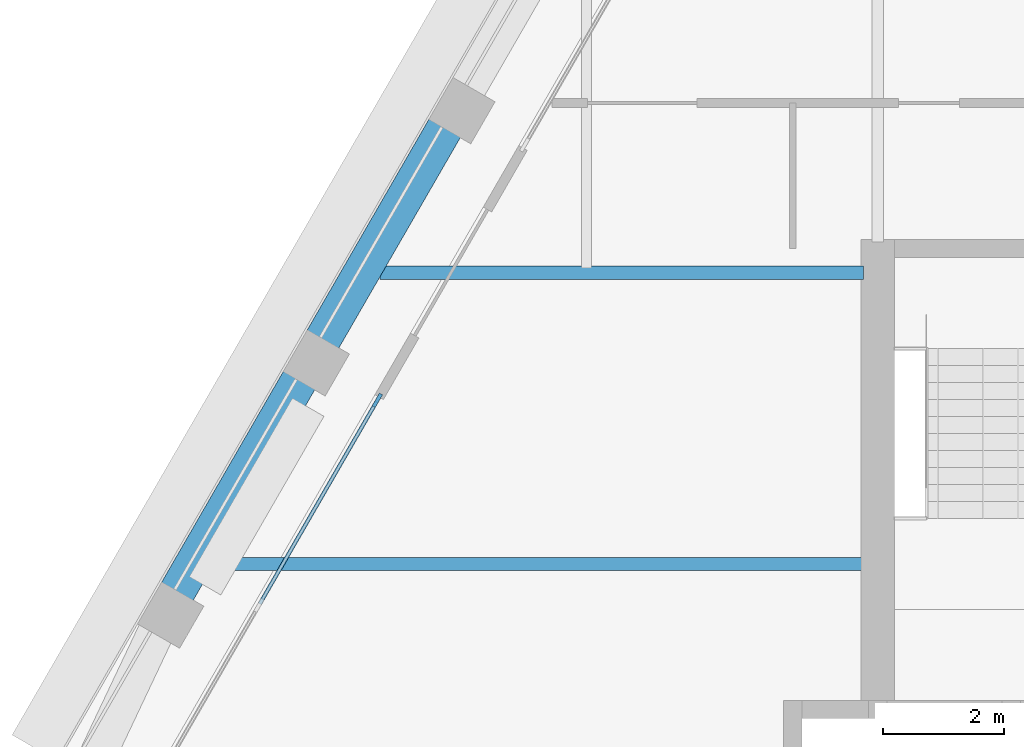
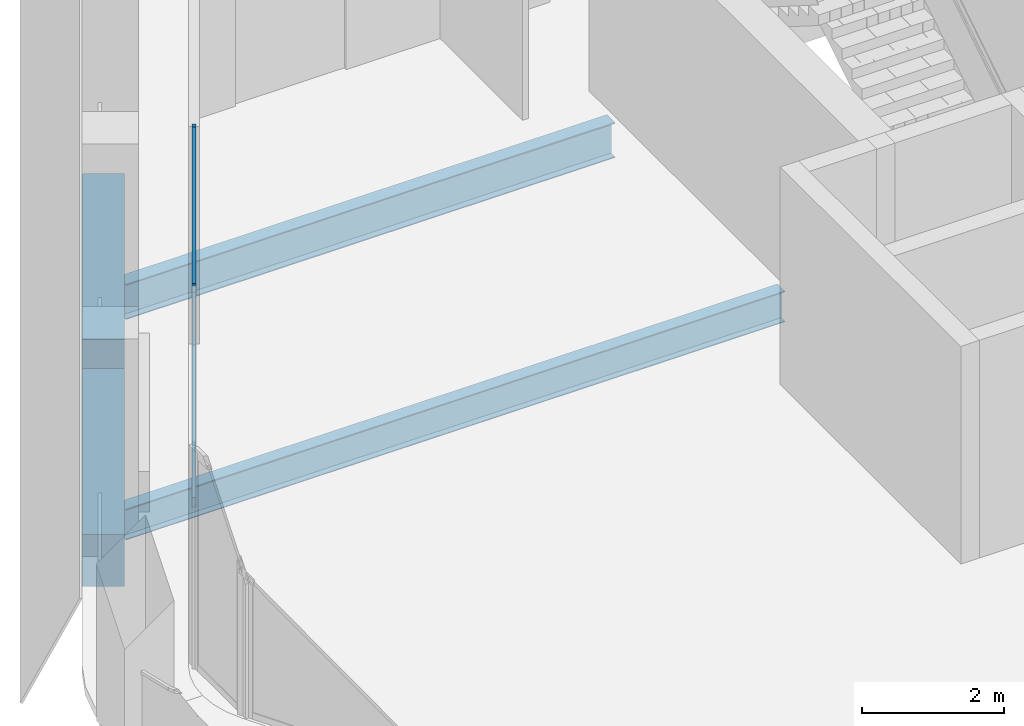
# One storey, part 3 of 14: 4 beams, 3 members, 1 element without a shape of its own.
"""IFC4 building model written with IfcOpenShell, lengths in metres."""

from ifc_helpers import new_model, si_unit, direction, frame, origin, origin_2d, place, context, subcontext, project, spatial, rectangle, i_section, extrude, material, material_profile, profile_set, type_object, element, aggregate, save


model = new_model("IFC4")

# Units and contexts
model_context = context("Model", 3, precision=1e-05, world=origin(), true_north=direction((0.0, 1.0)))
body_context = subcontext(model_context, "Body", "Model", "MODEL_VIEW")
ifc_project = project(units=[si_unit("LENGTHUNIT", "METRE"), si_unit("AREAUNIT", "SQUARE_METRE"), si_unit("VOLUMEUNIT", "CUBIC_METRE"), si_unit("PLANEANGLEUNIT", "RADIAN"), si_unit("MASSUNIT", "GRAM", prefix="KILO")], contexts=[model_context])

# Site, building, storey
site_placement = place(None, origin())
site = spatial("IfcSite", under=ifc_project, at=site_placement, CompositionType="ELEMENT")
building_placement = place(site_placement, origin())
building = spatial("IfcBuilding", under=site, at=building_placement, Name="Kolab Exchange Tower", CompositionType="ELEMENT")
storey_placement = place(building_placement, frame((0.0, 0.0, 246.199951171875)))
storey = spatial("IfcBuildingStorey", under=building, at=storey_placement, Name="L54", CompositionType="ELEMENT", Elevation=246.199951171875)

# Beams
ifc_material_1 = material(Name="Steel S355", Category="steel")
ifc_material_profile_1 = material_profile(ifc_material_1, i_section(OverallWidth=0.208984375, OverallDepth=0.532958984375, WebThickness=0.01025390625, FlangeThickness=0.015625, at=origin_2d()), Name="W530X92")
ifc_profile_set_1 = profile_set([ifc_material_profile_1], Name="Steel S355")
beam_type_1 = type_object("IfcBeamType", Name="FLOOR BEAM W530X92", PredefinedType="BEAM", material=ifc_profile_set_1)
beam_1_placement = place(storey_placement, frame((-20.575927734375, 4.800048828125, -0.41650390625), z_axis=(1.0, 0.0, 0.0), x_axis=(0.0, 1.0, 0.0)))
element("IfcBeam", 1, at=beam_1_placement, inside=storey, type_object=beam_type_1, Name="beam/L54/fr/002", PredefinedType="BEAM", context=body_context, shape_type="SweptSolid", body=[
    extrude(i_section(OverallWidth=0.208984375, OverallDepth=0.532958984375, WebThickness=0.01025390625, FlangeThickness=0.015625, at=origin_2d()), origin(), (0.0, 0.0, 1.0), 10.740966796875),
])
ifc_material_profile_2 = material_profile(ifc_material_1, i_section(OverallWidth=0.22802734375, OverallDepth=0.60791015625, WebThickness=0.01123046875, FlangeThickness=0.017333984375, at=origin_2d()), Name="W610X113")
ifc_profile_set_2 = profile_set([ifc_material_profile_2], Name="Steel S355")
beam_type_2 = type_object("IfcBeamType", Name="FLOOR GIRDER W610X113", PredefinedType="BEAM", material=ifc_profile_set_2)
beam_2_placement = place(storey_placement, frame((-17.8046875, 9.60009765625, -0.453857421875), z_axis=(1.0, 0.0, 0.0), x_axis=(0.0, 1.0, 0.0)))
element("IfcBeam", 2, at=beam_2_placement, inside=storey, type_object=beam_type_2, Name="beam/L54/gd/001", PredefinedType="BEAM", context=body_context, shape_type="SweptSolid", body=[
    extrude(i_section(OverallWidth=0.22802734375, OverallDepth=0.60791015625, WebThickness=0.01123046875, FlangeThickness=0.017333984375, at=origin_2d()), origin(), (0.0, 0.0, 1.0), 7.9697265625),
])
ifc_material_2 = material(Name="Concrete C50/60", Category="concrete")
ifc_material_profile_3 = material_profile(ifc_material_2, rectangle(XDim=0.60009765625, YDim=0.89990234375, at=origin_2d()), Name="RC600X900")
ifc_profile_set_3 = profile_set([ifc_material_profile_3], Name="Concrete C50/60")
beam_type_3 = type_object("IfcBeamType", Name="SPANDREL BEAM 600X900 C50/60", PredefinedType="BEAM", material=ifc_profile_set_3)
for number, where, z_axis, x_axis, name in (
    (3, (-21.16015625, 4.318603515625, -0.599853515625), (0.500000428765, 0.866025156237, 0.0), (-0.866025156237, 0.500000428765, 0.0), "beam/L54/sp/F6-02"),
    (4, (-18.76025390625, 8.4755859375, -0.599853515625), (0.500000428765, 0.866025156237, 0.0), (-0.866025156237, 0.500000428765, 0.0), "beam/L54/sp/F6-03"),
):
    element("IfcBeam", number, at=place(storey_placement, frame(where, z_axis=z_axis, x_axis=x_axis)), inside=storey, type_object=beam_type_3, Name=name, PredefinedType="BEAM", context=body_context, shape_type="SweptSolid", body=[
        extrude(rectangle(XDim=0.60009765625, YDim=0.89990234375, at=origin_2d()), origin(), (0.0, 0.0, 1.0), 4.080078125),
    ])

# Curtain wall, members
ifc_material_3 = material(Name="Aluminium EN AW-6063 T6", Category="aluminium")
curtain_wall_type = type_object("IfcCurtainWallType", Name="UNITISED HIGH ZONE CURTAIN WALL", PredefinedType="NOTDEFINED", material=ifc_material_3)
curtain_wall_placement = place(storey_placement, origin())
curtain_wall = element("IfcCurtainWall", 5, at=curtain_wall_placement, inside=storey, type_object=curtain_wall_type, Name="cw/L54/F6-1", PredefinedType="NOTDEFINED")
ifc_material_profile_4 = material_profile(ifc_material_3, rectangle(XDim=0.06005859375, YDim=0.239990234375, at=origin_2d()), Name="RECT 60X240")
ifc_profile_set_4 = profile_set([ifc_material_profile_4], Name="Aluminium EN AW-6063 T6")
member_type_1 = type_object("IfcMemberType", Name="UNITISED HIGH ZONE MULLION 60 X 240", PredefinedType="MULLION", material=ifc_profile_set_4)
member_1_placement = place(storey_placement, frame((-17.8466796875, 7.497802734375, 0.0), z_axis=(0.0, 0.0, 1.0), x_axis=(-0.866025440524, 0.499999936366, 0.0)))
member_1 = element("IfcMember", 6, at=member_1_placement, type_object=member_type_1, Name="CW4 mullion 3", PredefinedType="MULLION", context=body_context, shape_type="SweptSolid", body=[
    extrude(rectangle(XDim=0.06005859375, YDim=0.239990234375, at=origin_2d()), origin(), (0.0, 0.0, 1.0), 3.75),
])
ifc_material_profile_5 = material_profile(ifc_material_3, rectangle(XDim=0.06005859375, YDim=0.159912109375, at=origin_2d()), Name="RECT 60X160")
ifc_profile_set_5 = profile_set([ifc_material_profile_5], Name="Aluminium EN AW-6063 T6")
member_type_2 = type_object("IfcMemberType", Name="UNITISED HIGH ZONE TRANSOM 60 X 160", PredefinedType="USERDEFINED", material=ifc_profile_set_5)
member_2_placement = place(storey_placement, frame((-19.78369140625, 4.142822265625, 0.030029296875), z_axis=(0.500011990396, 0.866018481016, 0.0), x_axis=(-0.866018481016, 0.500011990396, 0.0)))
member_2 = element("IfcMember", 7, at=member_2_placement, type_object=member_type_2, Name="CW4 transom 2.1", ObjectType="TRANSOM", PredefinedType="USERDEFINED", context=body_context, shape_type="SweptSolid", body=[
    extrude(rectangle(XDim=0.06005859375, YDim=0.159912109375, at=origin_2d()), origin(), (0.0, 0.0, 1.0), 3.84423828125),
])
member_3_placement = place(storey_placement, frame((-19.78369140625, 4.142822265625, 3.719970703125), z_axis=(0.500011990396, 0.866018481016, 0.0), x_axis=(-0.866018481016, 0.500011990396, 0.0)))
member_3 = element("IfcMember", 8, at=member_3_placement, type_object=member_type_2, Name="CW4 transom 2.2", ObjectType="TRANSOM", PredefinedType="USERDEFINED", context=body_context, shape_type="SweptSolid", body=[
    extrude(rectangle(XDim=0.06005859375, YDim=0.159912109375, at=origin_2d()), origin(), (0.0, 0.0, 1.0), 3.84423828125),
])
aggregate(curtain_wall, [member_1, member_2, member_3])

save(model, "model.ifc")
